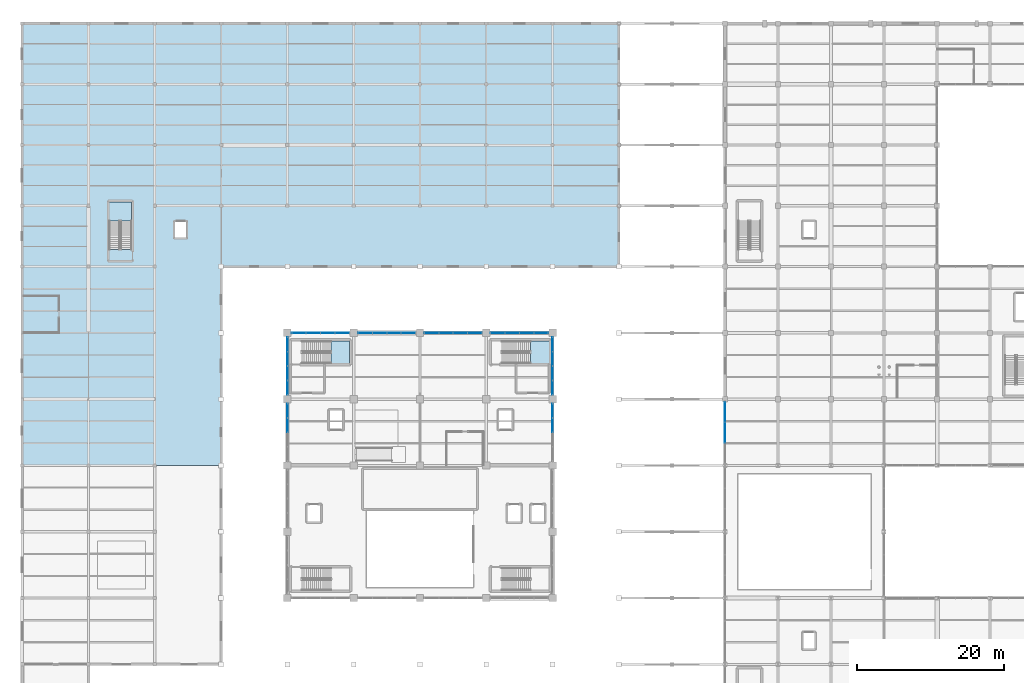
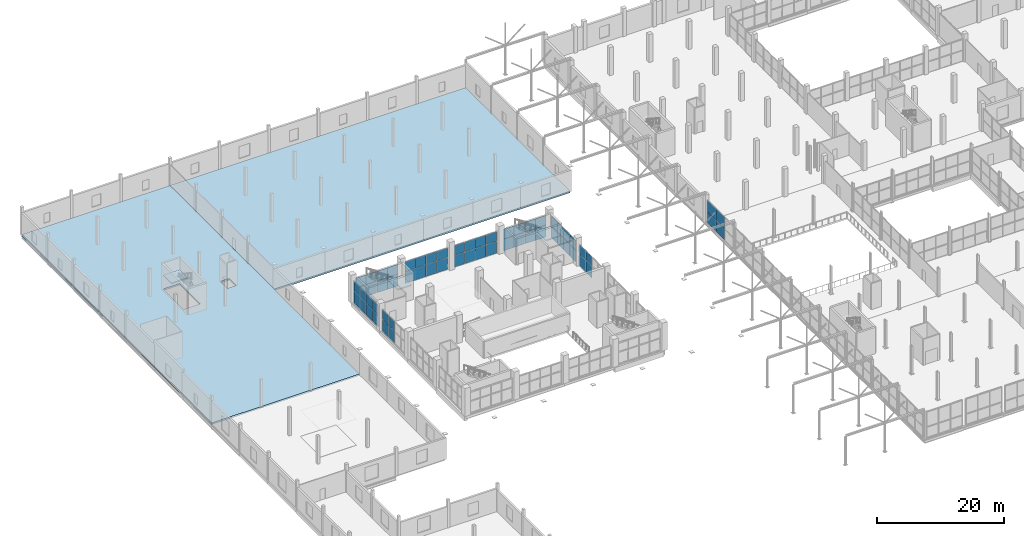
# One storey, part 116 of 147: 60 plates, 5 slabs, 12 elements without a shape of their own.
"""IFC4 building model written with IfcOpenShell, lengths in metres."""

from ifc_helpers import new_model, si_unit, direction, frame, origin, origin_2d, place, context, subcontext, project, spatial, polyline, rectangle, outline, extrude, material, layer, layer_set, type_object, element, aggregate, save


model = new_model("IFC4")

# Units and contexts
model_context = context("Model", 3, precision=1e-05, world=origin(), true_north=direction((0.0, 1.0)))
body_context = subcontext(model_context, "Body", "Model", "MODEL_VIEW")
ifc_project = project(units=[si_unit("LENGTHUNIT", "METRE"), si_unit("AREAUNIT", "SQUARE_METRE"), si_unit("VOLUMEUNIT", "CUBIC_METRE"), si_unit("PLANEANGLEUNIT", "RADIAN"), si_unit("MASSUNIT", "GRAM", prefix="KILO")], contexts=[model_context])

# Site, building, storey
site_placement = place(None, origin())
site = spatial("IfcSite", under=ifc_project, at=site_placement, CompositionType="ELEMENT")
building_placement = place(site_placement, origin())
building = spatial("IfcBuilding", under=site, at=building_placement, Name="Sundgate Opera House", CompositionType="ELEMENT")
storey_placement = place(building_placement, frame((0.0, 0.0, 6.0)))
storey = spatial("IfcBuildingStorey", under=building, at=storey_placement, Name="L01", CompositionType="ELEMENT", Elevation=6.0)

# Curtain wall, plates
ifc_material_1 = material(Name="Anodized aluminium and low-iron glass", Category="aluminium")
ifc_layer_1 = layer(ifc_material_1, 0.179931640625)
ifc_layer_set_1 = layer_set([ifc_layer_1], Name="Anodized aluminium and low-iron glass")
curtain_wall_type_1 = type_object("IfcCurtainWallType", Name="CW-FOYER-GLASS", PredefinedType="NOTDEFINED", material=ifc_layer_set_1)
curtain_wall_1_placement = place(storey_placement, origin())
curtain_wall_1 = element("IfcCurtainWall", 1, at=curtain_wall_1_placement, inside=storey, type_object=curtain_wall_type_1, Name="L01 Curtain Wall CW015", PredefinedType="NOTDEFINED")
ifc_material_2 = material(Name="Low-iron triple acoustic glazing", Category="glass")
ifc_layer_2 = layer(ifc_material_2, 0.035888671875)
ifc_layer_set_2 = layer_set([ifc_layer_2], Name="Low-iron triple acoustic glazing")
plate_type_1 = type_object("IfcPlateType", Name="CWP-CLEAR-36", PredefinedType="CURTAIN_PANEL", material=ifc_layer_set_2)
plate_1_placement = place(storey_placement, frame((37.574951171875, 78.0, 0.02001953125), z_axis=(0.0, 0.0, 1.0), x_axis=(1.0, 0.0, 0.0)))
plate_1 = element("IfcPlate", 2, at=plate_1_placement, type_object=plate_type_1, Name="CW015 Panel 1", PredefinedType="CURTAIN_PANEL", context=body_context, shape_type="SweptSolid", body=[
    extrude(rectangle(XDim=1.909912109375, YDim=0.035888671875, at=origin_2d()), origin(), (0.0, 0.0, 1.0), 2.260009765625),
])
plate_2_placement = place(storey_placement, frame((37.574951171875, 78.0, 2.320068359375), z_axis=(0.0, 0.0, 1.0), x_axis=(1.0, 0.0, 0.0)))
plate_2 = element("IfcPlate", 3, at=plate_2_placement, type_object=plate_type_1, Name="CW015 Panel 2", PredefinedType="CURTAIN_PANEL", context=body_context, shape_type="SweptSolid", body=[
    extrude(rectangle(XDim=1.909912109375, YDim=0.035888671875, at=origin_2d()), origin(), (0.0, 0.0, 1.0), 1.875),
])
plate_3_placement = place(storey_placement, frame((39.52490234375, 78.0, 0.02001953125), z_axis=(0.0, 0.0, 1.0), x_axis=(1.0, 0.0, 0.0)))
plate_3 = element("IfcPlate", 4, at=plate_3_placement, type_object=plate_type_1, Name="CW015 Panel 3", PredefinedType="CURTAIN_PANEL", context=body_context, shape_type="SweptSolid", body=[
    extrude(rectangle(XDim=1.909912109375, YDim=0.035888671875, at=origin_2d()), origin(), (0.0, 0.0, 1.0), 2.260009765625),
])
plate_4_placement = place(storey_placement, frame((39.52490234375, 78.0, 2.320068359375), z_axis=(0.0, 0.0, 1.0), x_axis=(1.0, 0.0, 0.0)))
plate_4 = element("IfcPlate", 5, at=plate_4_placement, type_object=plate_type_1, Name="CW015 Panel 4", PredefinedType="CURTAIN_PANEL", context=body_context, shape_type="SweptSolid", body=[
    extrude(rectangle(XDim=1.909912109375, YDim=0.035888671875, at=origin_2d()), origin(), (0.0, 0.0, 1.0), 1.875),
])
plate_5_placement = place(storey_placement, frame((41.47509765625, 78.0, 0.02001953125), z_axis=(0.0, 0.0, 1.0), x_axis=(1.0, 0.0, 0.0)))
plate_5 = element("IfcPlate", 6, at=plate_5_placement, type_object=plate_type_1, Name="CW015 Panel 5", PredefinedType="CURTAIN_PANEL", context=body_context, shape_type="SweptSolid", body=[
    extrude(rectangle(XDim=1.909912109375, YDim=0.035888671875, at=origin_2d()), origin(), (0.0, 0.0, 1.0), 2.260009765625),
])
plate_6_placement = place(storey_placement, frame((41.47509765625, 78.0, 2.320068359375), z_axis=(0.0, 0.0, 1.0), x_axis=(1.0, 0.0, 0.0)))
plate_6 = element("IfcPlate", 7, at=plate_6_placement, type_object=plate_type_1, Name="CW015 Panel 6", PredefinedType="CURTAIN_PANEL", context=body_context, shape_type="SweptSolid", body=[
    extrude(rectangle(XDim=1.909912109375, YDim=0.035888671875, at=origin_2d()), origin(), (0.0, 0.0, 1.0), 1.875),
])
plate_7_placement = place(storey_placement, frame((43.425048828125, 78.0, 0.02001953125), z_axis=(0.0, 0.0, 1.0), x_axis=(1.0, 0.0, 0.0)))
plate_7 = element("IfcPlate", 8, at=plate_7_placement, type_object=plate_type_1, Name="CW015 Panel 7", PredefinedType="CURTAIN_PANEL", context=body_context, shape_type="SweptSolid", body=[
    extrude(rectangle(XDim=1.909912109375, YDim=0.035888671875, at=origin_2d()), origin(), (0.0, 0.0, 1.0), 2.260009765625),
])
plate_8_placement = place(storey_placement, frame((43.425048828125, 78.0, 2.320068359375), z_axis=(0.0, 0.0, 1.0), x_axis=(1.0, 0.0, 0.0)))
plate_8 = element("IfcPlate", 9, at=plate_8_placement, type_object=plate_type_1, Name="CW015 Panel 8", PredefinedType="CURTAIN_PANEL", context=body_context, shape_type="SweptSolid", body=[
    extrude(rectangle(XDim=1.909912109375, YDim=0.035888671875, at=origin_2d()), origin(), (0.0, 0.0, 1.0), 1.875),
])
aggregate(curtain_wall_1, [plate_1, plate_2, plate_3, plate_4, plate_5, plate_6, plate_7, plate_8])

curtain_wall_2_placement = place(storey_placement, origin())
curtain_wall_2 = element("IfcCurtainWall", 10, at=curtain_wall_2_placement, inside=storey, type_object=curtain_wall_type_1, Name="L01 Curtain Wall CW016", PredefinedType="NOTDEFINED")
plate_9_placement = place(storey_placement, frame((46.574951171875, 78.0, 0.02001953125), z_axis=(0.0, 0.0, 1.0), x_axis=(1.0, 0.0, 0.0)))
plate_9 = element("IfcPlate", 11, at=plate_9_placement, type_object=plate_type_1, Name="CW016 Panel 1", PredefinedType="CURTAIN_PANEL", context=body_context, shape_type="SweptSolid", body=[
    extrude(rectangle(XDim=1.909912109375, YDim=0.035888671875, at=origin_2d()), origin(), (0.0, 0.0, 1.0), 2.260009765625),
])
plate_10_placement = place(storey_placement, frame((46.574951171875, 78.0, 2.320068359375), z_axis=(0.0, 0.0, 1.0), x_axis=(1.0, 0.0, 0.0)))
plate_10 = element("IfcPlate", 12, at=plate_10_placement, type_object=plate_type_1, Name="CW016 Panel 2", PredefinedType="CURTAIN_PANEL", context=body_context, shape_type="SweptSolid", body=[
    extrude(rectangle(XDim=1.909912109375, YDim=0.035888671875, at=origin_2d()), origin(), (0.0, 0.0, 1.0), 1.875),
])
plate_11_placement = place(storey_placement, frame((48.52490234375, 78.0, 0.02001953125), z_axis=(0.0, 0.0, 1.0), x_axis=(1.0, 0.0, 0.0)))
plate_11 = element("IfcPlate", 13, at=plate_11_placement, type_object=plate_type_1, Name="CW016 Panel 3", PredefinedType="CURTAIN_PANEL", context=body_context, shape_type="SweptSolid", body=[
    extrude(rectangle(XDim=1.909912109375, YDim=0.035888671875, at=origin_2d()), origin(), (0.0, 0.0, 1.0), 2.260009765625),
])
plate_12_placement = place(storey_placement, frame((48.52490234375, 78.0, 2.320068359375), z_axis=(0.0, 0.0, 1.0), x_axis=(1.0, 0.0, 0.0)))
plate_12 = element("IfcPlate", 14, at=plate_12_placement, type_object=plate_type_1, Name="CW016 Panel 4", PredefinedType="CURTAIN_PANEL", context=body_context, shape_type="SweptSolid", body=[
    extrude(rectangle(XDim=1.909912109375, YDim=0.035888671875, at=origin_2d()), origin(), (0.0, 0.0, 1.0), 1.875),
])
plate_13_placement = place(storey_placement, frame((50.47509765625, 78.0, 0.02001953125), z_axis=(0.0, 0.0, 1.0), x_axis=(1.0, 0.0, 0.0)))
plate_13 = element("IfcPlate", 15, at=plate_13_placement, type_object=plate_type_1, Name="CW016 Panel 5", PredefinedType="CURTAIN_PANEL", context=body_context, shape_type="SweptSolid", body=[
    extrude(rectangle(XDim=1.909912109375, YDim=0.035888671875, at=origin_2d()), origin(), (0.0, 0.0, 1.0), 2.260009765625),
])
plate_14_placement = place(storey_placement, frame((50.47509765625, 78.0, 2.320068359375), z_axis=(0.0, 0.0, 1.0), x_axis=(1.0, 0.0, 0.0)))
plate_14 = element("IfcPlate", 16, at=plate_14_placement, type_object=plate_type_1, Name="CW016 Panel 6", PredefinedType="CURTAIN_PANEL", context=body_context, shape_type="SweptSolid", body=[
    extrude(rectangle(XDim=1.909912109375, YDim=0.035888671875, at=origin_2d()), origin(), (0.0, 0.0, 1.0), 1.875),
])
plate_15_placement = place(storey_placement, frame((52.425048828125, 78.0, 0.02001953125), z_axis=(0.0, 0.0, 1.0), x_axis=(1.0, 0.0, 0.0)))
plate_15 = element("IfcPlate", 17, at=plate_15_placement, type_object=plate_type_1, Name="CW016 Panel 7", PredefinedType="CURTAIN_PANEL", context=body_context, shape_type="SweptSolid", body=[
    extrude(rectangle(XDim=1.909912109375, YDim=0.035888671875, at=origin_2d()), origin(), (0.0, 0.0, 1.0), 2.260009765625),
])
plate_16_placement = place(storey_placement, frame((52.425048828125, 78.0, 2.320068359375), z_axis=(0.0, 0.0, 1.0), x_axis=(1.0, 0.0, 0.0)))
plate_16 = element("IfcPlate", 18, at=plate_16_placement, type_object=plate_type_1, Name="CW016 Panel 8", PredefinedType="CURTAIN_PANEL", context=body_context, shape_type="SweptSolid", body=[
    extrude(rectangle(XDim=1.909912109375, YDim=0.035888671875, at=origin_2d()), origin(), (0.0, 0.0, 1.0), 1.875),
])
aggregate(curtain_wall_2, [plate_9, plate_10, plate_11, plate_12, plate_13, plate_14, plate_15, plate_16])

curtain_wall_3_placement = place(storey_placement, origin())
curtain_wall_3 = element("IfcCurtainWall", 19, at=curtain_wall_3_placement, inside=storey, type_object=curtain_wall_type_1, Name="L01 Curtain Wall CW017", PredefinedType="NOTDEFINED")
plate_17_placement = place(storey_placement, frame((55.574951171875, 78.0, 0.02001953125), z_axis=(0.0, 0.0, 1.0), x_axis=(1.0, 0.0, 0.0)))
plate_17 = element("IfcPlate", 20, at=plate_17_placement, type_object=plate_type_1, Name="CW017 Panel 1", PredefinedType="CURTAIN_PANEL", context=body_context, shape_type="SweptSolid", body=[
    extrude(rectangle(XDim=1.909912109375, YDim=0.035888671875, at=origin_2d()), origin(), (0.0, 0.0, 1.0), 2.260009765625),
])
plate_18_placement = place(storey_placement, frame((55.574951171875, 78.0, 2.320068359375), z_axis=(0.0, 0.0, 1.0), x_axis=(1.0, 0.0, 0.0)))
plate_18 = element("IfcPlate", 21, at=plate_18_placement, type_object=plate_type_1, Name="CW017 Panel 2", PredefinedType="CURTAIN_PANEL", context=body_context, shape_type="SweptSolid", body=[
    extrude(rectangle(XDim=1.909912109375, YDim=0.035888671875, at=origin_2d()), origin(), (0.0, 0.0, 1.0), 1.875),
])
plate_19_placement = place(storey_placement, frame((57.52490234375, 78.0, 0.02001953125), z_axis=(0.0, 0.0, 1.0), x_axis=(1.0, 0.0, 0.0)))
plate_19 = element("IfcPlate", 22, at=plate_19_placement, type_object=plate_type_1, Name="CW017 Panel 3", PredefinedType="CURTAIN_PANEL", context=body_context, shape_type="SweptSolid", body=[
    extrude(rectangle(XDim=1.909912109375, YDim=0.035888671875, at=origin_2d()), origin(), (0.0, 0.0, 1.0), 2.260009765625),
])
plate_20_placement = place(storey_placement, frame((57.52490234375, 78.0, 2.320068359375), z_axis=(0.0, 0.0, 1.0), x_axis=(1.0, 0.0, 0.0)))
plate_20 = element("IfcPlate", 23, at=plate_20_placement, type_object=plate_type_1, Name="CW017 Panel 4", PredefinedType="CURTAIN_PANEL", context=body_context, shape_type="SweptSolid", body=[
    extrude(rectangle(XDim=1.909912109375, YDim=0.035888671875, at=origin_2d()), origin(), (0.0, 0.0, 1.0), 1.875),
])
plate_21_placement = place(storey_placement, frame((59.47509765625, 78.0, 0.02001953125), z_axis=(0.0, 0.0, 1.0), x_axis=(1.0, 0.0, 0.0)))
plate_21 = element("IfcPlate", 24, at=plate_21_placement, type_object=plate_type_1, Name="CW017 Panel 5", PredefinedType="CURTAIN_PANEL", context=body_context, shape_type="SweptSolid", body=[
    extrude(rectangle(XDim=1.909912109375, YDim=0.035888671875, at=origin_2d()), origin(), (0.0, 0.0, 1.0), 2.260009765625),
])
plate_22_placement = place(storey_placement, frame((59.47509765625, 78.0, 2.320068359375), z_axis=(0.0, 0.0, 1.0), x_axis=(1.0, 0.0, 0.0)))
plate_22 = element("IfcPlate", 25, at=plate_22_placement, type_object=plate_type_1, Name="CW017 Panel 6", PredefinedType="CURTAIN_PANEL", context=body_context, shape_type="SweptSolid", body=[
    extrude(rectangle(XDim=1.909912109375, YDim=0.035888671875, at=origin_2d()), origin(), (0.0, 0.0, 1.0), 1.875),
])
plate_23_placement = place(storey_placement, frame((61.425048828125, 78.0, 0.02001953125), z_axis=(0.0, 0.0, 1.0), x_axis=(1.0, 0.0, 0.0)))
plate_23 = element("IfcPlate", 26, at=plate_23_placement, type_object=plate_type_1, Name="CW017 Panel 7", PredefinedType="CURTAIN_PANEL", context=body_context, shape_type="SweptSolid", body=[
    extrude(rectangle(XDim=1.909912109375, YDim=0.035888671875, at=origin_2d()), origin(), (0.0, 0.0, 1.0), 2.260009765625),
])
plate_24_placement = place(storey_placement, frame((61.425048828125, 78.0, 2.320068359375), z_axis=(0.0, 0.0, 1.0), x_axis=(1.0, 0.0, 0.0)))
plate_24 = element("IfcPlate", 27, at=plate_24_placement, type_object=plate_type_1, Name="CW017 Panel 8", PredefinedType="CURTAIN_PANEL", context=body_context, shape_type="SweptSolid", body=[
    extrude(rectangle(XDim=1.909912109375, YDim=0.035888671875, at=origin_2d()), origin(), (0.0, 0.0, 1.0), 1.875),
])
aggregate(curtain_wall_3, [plate_17, plate_18, plate_19, plate_20, plate_21, plate_22, plate_23, plate_24])

curtain_wall_4_placement = place(storey_placement, origin())
curtain_wall_4 = element("IfcCurtainWall", 28, at=curtain_wall_4_placement, inside=storey, type_object=curtain_wall_type_1, Name="L01 Curtain Wall CW018", PredefinedType="NOTDEFINED")
plate_25_placement = place(storey_placement, frame((64.574951171875, 78.0, 0.02001953125), z_axis=(0.0, 0.0, 1.0), x_axis=(1.0, 0.0, 0.0)))
plate_25 = element("IfcPlate", 29, at=plate_25_placement, type_object=plate_type_1, Name="CW018 Panel 1", PredefinedType="CURTAIN_PANEL", context=body_context, shape_type="SweptSolid", body=[
    extrude(rectangle(XDim=1.909912109375, YDim=0.035888671875, at=origin_2d()), origin(), (0.0, 0.0, 1.0), 2.260009765625),
])
plate_26_placement = place(storey_placement, frame((64.574951171875, 78.0, 2.320068359375), z_axis=(0.0, 0.0, 1.0), x_axis=(1.0, 0.0, 0.0)))
plate_26 = element("IfcPlate", 30, at=plate_26_placement, type_object=plate_type_1, Name="CW018 Panel 2", PredefinedType="CURTAIN_PANEL", context=body_context, shape_type="SweptSolid", body=[
    extrude(rectangle(XDim=1.909912109375, YDim=0.035888671875, at=origin_2d()), origin(), (0.0, 0.0, 1.0), 1.875),
])
plate_27_placement = place(storey_placement, frame((66.52490234375, 78.0, 0.02001953125), z_axis=(0.0, 0.0, 1.0), x_axis=(1.0, 0.0, 0.0)))
plate_27 = element("IfcPlate", 31, at=plate_27_placement, type_object=plate_type_1, Name="CW018 Panel 3", PredefinedType="CURTAIN_PANEL", context=body_context, shape_type="SweptSolid", body=[
    extrude(rectangle(XDim=1.909912109375, YDim=0.035888671875, at=origin_2d()), origin(), (0.0, 0.0, 1.0), 2.260009765625),
])
plate_28_placement = place(storey_placement, frame((66.52490234375, 78.0, 2.320068359375), z_axis=(0.0, 0.0, 1.0), x_axis=(1.0, 0.0, 0.0)))
plate_28 = element("IfcPlate", 32, at=plate_28_placement, type_object=plate_type_1, Name="CW018 Panel 4", PredefinedType="CURTAIN_PANEL", context=body_context, shape_type="SweptSolid", body=[
    extrude(rectangle(XDim=1.909912109375, YDim=0.035888671875, at=origin_2d()), origin(), (0.0, 0.0, 1.0), 1.875),
])
plate_29_placement = place(storey_placement, frame((68.47509765625, 78.0, 0.02001953125), z_axis=(0.0, 0.0, 1.0), x_axis=(1.0, 0.0, 0.0)))
plate_29 = element("IfcPlate", 33, at=plate_29_placement, type_object=plate_type_1, Name="CW018 Panel 5", PredefinedType="CURTAIN_PANEL", context=body_context, shape_type="SweptSolid", body=[
    extrude(rectangle(XDim=1.909912109375, YDim=0.035888671875, at=origin_2d()), origin(), (0.0, 0.0, 1.0), 2.260009765625),
])
plate_30_placement = place(storey_placement, frame((68.47509765625, 78.0, 2.320068359375), z_axis=(0.0, 0.0, 1.0), x_axis=(1.0, 0.0, 0.0)))
plate_30 = element("IfcPlate", 34, at=plate_30_placement, type_object=plate_type_1, Name="CW018 Panel 6", PredefinedType="CURTAIN_PANEL", context=body_context, shape_type="SweptSolid", body=[
    extrude(rectangle(XDim=1.909912109375, YDim=0.035888671875, at=origin_2d()), origin(), (0.0, 0.0, 1.0), 1.875),
])
plate_31_placement = place(storey_placement, frame((70.425048828125, 78.0, 0.02001953125), z_axis=(0.0, 0.0, 1.0), x_axis=(1.0, 0.0, 0.0)))
plate_31 = element("IfcPlate", 35, at=plate_31_placement, type_object=plate_type_1, Name="CW018 Panel 7", PredefinedType="CURTAIN_PANEL", context=body_context, shape_type="SweptSolid", body=[
    extrude(rectangle(XDim=1.909912109375, YDim=0.035888671875, at=origin_2d()), origin(), (0.0, 0.0, 1.0), 2.260009765625),
])
plate_32_placement = place(storey_placement, frame((70.425048828125, 78.0, 2.320068359375), z_axis=(0.0, 0.0, 1.0), x_axis=(1.0, 0.0, 0.0)))
plate_32 = element("IfcPlate", 36, at=plate_32_placement, type_object=plate_type_1, Name="CW018 Panel 8", PredefinedType="CURTAIN_PANEL", context=body_context, shape_type="SweptSolid", body=[
    extrude(rectangle(XDim=1.909912109375, YDim=0.035888671875, at=origin_2d()), origin(), (0.0, 0.0, 1.0), 1.875),
])
aggregate(curtain_wall_4, [plate_25, plate_26, plate_27, plate_28, plate_29, plate_30, plate_31, plate_32])

curtain_wall_5_placement = place(storey_placement, origin())
curtain_wall_5 = element("IfcCurtainWall", 37, at=curtain_wall_5_placement, inside=storey, type_object=curtain_wall_type_1, Name="L01 Curtain Wall CW021", PredefinedType="NOTDEFINED")
plate_33_placement = place(storey_placement, frame((36.0, 67.425048828125, 0.02001953125), z_axis=(0.0, 0.0, 1.0), x_axis=(0.0, -1.0, 0.0)))
plate_33 = element("IfcPlate", 38, at=plate_33_placement, type_object=plate_type_1, Name="CW021 Panel 1", PredefinedType="CURTAIN_PANEL", context=body_context, shape_type="SweptSolid", body=[
    extrude(rectangle(XDim=1.909912109375, YDim=0.035888671875, at=origin_2d()), origin(), (0.0, 0.0, 1.0), 2.260009765625),
])
plate_34_placement = place(storey_placement, frame((36.0, 67.425048828125, 2.320068359375), z_axis=(0.0, 0.0, 1.0), x_axis=(0.0, -1.0, 0.0)))
plate_34 = element("IfcPlate", 39, at=plate_34_placement, type_object=plate_type_1, Name="CW021 Panel 2", PredefinedType="CURTAIN_PANEL", context=body_context, shape_type="SweptSolid", body=[
    extrude(rectangle(XDim=1.909912109375, YDim=0.035888671875, at=origin_2d()), origin(), (0.0, 0.0, 1.0), 1.875),
])
plate_35_placement = place(storey_placement, frame((36.0, 65.47509765625, 0.02001953125), z_axis=(0.0, 0.0, 1.0), x_axis=(0.0, -1.0, 0.0)))
plate_35 = element("IfcPlate", 40, at=plate_35_placement, type_object=plate_type_1, Name="CW021 Panel 3", PredefinedType="CURTAIN_PANEL", context=body_context, shape_type="SweptSolid", body=[
    extrude(rectangle(XDim=1.909912109375, YDim=0.035888671875, at=origin_2d()), origin(), (0.0, 0.0, 1.0), 2.260009765625),
])
plate_36_placement = place(storey_placement, frame((36.0, 65.47509765625, 2.320068359375), z_axis=(0.0, 0.0, 1.0), x_axis=(0.0, -1.0, 0.0)))
plate_36 = element("IfcPlate", 41, at=plate_36_placement, type_object=plate_type_1, Name="CW021 Panel 4", PredefinedType="CURTAIN_PANEL", context=body_context, shape_type="SweptSolid", body=[
    extrude(rectangle(XDim=1.909912109375, YDim=0.035888671875, at=origin_2d()), origin(), (0.0, 0.0, 1.0), 1.875),
])
aggregate(curtain_wall_5, [plate_33, plate_34, plate_35, plate_36])

curtain_wall_6_placement = place(storey_placement, origin())
curtain_wall_6 = element("IfcCurtainWall", 42, at=curtain_wall_6_placement, inside=storey, type_object=curtain_wall_type_1, Name="L01 Curtain Wall CW022", PredefinedType="NOTDEFINED")
plate_37_placement = place(storey_placement, frame((36.0, 76.425048828125, 0.02001953125), z_axis=(0.0, 0.0, 1.0), x_axis=(0.0, -1.0, 0.0)))
plate_37 = element("IfcPlate", 43, at=plate_37_placement, type_object=plate_type_1, Name="CW022 Panel 1", PredefinedType="CURTAIN_PANEL", context=body_context, shape_type="SweptSolid", body=[
    extrude(rectangle(XDim=1.909912109375, YDim=0.035888671875, at=origin_2d()), origin(), (0.0, 0.0, 1.0), 2.260009765625),
])
plate_38_placement = place(storey_placement, frame((36.0, 76.425048828125, 2.320068359375), z_axis=(0.0, 0.0, 1.0), x_axis=(0.0, -1.0, 0.0)))
plate_38 = element("IfcPlate", 44, at=plate_38_placement, type_object=plate_type_1, Name="CW022 Panel 2", PredefinedType="CURTAIN_PANEL", context=body_context, shape_type="SweptSolid", body=[
    extrude(rectangle(XDim=1.909912109375, YDim=0.035888671875, at=origin_2d()), origin(), (0.0, 0.0, 1.0), 1.875),
])
plate_39_placement = place(storey_placement, frame((36.0, 74.47509765625, 0.02001953125), z_axis=(0.0, 0.0, 1.0), x_axis=(0.0, -1.0, 0.0)))
plate_39 = element("IfcPlate", 45, at=plate_39_placement, type_object=plate_type_1, Name="CW022 Panel 3", PredefinedType="CURTAIN_PANEL", context=body_context, shape_type="SweptSolid", body=[
    extrude(rectangle(XDim=1.909912109375, YDim=0.035888671875, at=origin_2d()), origin(), (0.0, 0.0, 1.0), 2.260009765625),
])
plate_40_placement = place(storey_placement, frame((36.0, 74.47509765625, 2.320068359375), z_axis=(0.0, 0.0, 1.0), x_axis=(0.0, -1.0, 0.0)))
plate_40 = element("IfcPlate", 46, at=plate_40_placement, type_object=plate_type_1, Name="CW022 Panel 4", PredefinedType="CURTAIN_PANEL", context=body_context, shape_type="SweptSolid", body=[
    extrude(rectangle(XDim=1.909912109375, YDim=0.035888671875, at=origin_2d()), origin(), (0.0, 0.0, 1.0), 1.875),
])
plate_41_placement = place(storey_placement, frame((36.0, 72.52490234375, 0.02001953125), z_axis=(0.0, 0.0, 1.0), x_axis=(0.0, -1.0, 0.0)))
plate_41 = element("IfcPlate", 47, at=plate_41_placement, type_object=plate_type_1, Name="CW022 Panel 5", PredefinedType="CURTAIN_PANEL", context=body_context, shape_type="SweptSolid", body=[
    extrude(rectangle(XDim=1.909912109375, YDim=0.035888671875, at=origin_2d()), origin(), (0.0, 0.0, 1.0), 2.260009765625),
])
plate_42_placement = place(storey_placement, frame((36.0, 72.52490234375, 2.320068359375), z_axis=(0.0, 0.0, 1.0), x_axis=(0.0, -1.0, 0.0)))
plate_42 = element("IfcPlate", 48, at=plate_42_placement, type_object=plate_type_1, Name="CW022 Panel 6", PredefinedType="CURTAIN_PANEL", context=body_context, shape_type="SweptSolid", body=[
    extrude(rectangle(XDim=1.909912109375, YDim=0.035888671875, at=origin_2d()), origin(), (0.0, 0.0, 1.0), 1.875),
])
plate_43_placement = place(storey_placement, frame((36.0, 70.574951171875, 0.02001953125), z_axis=(0.0, 0.0, 1.0), x_axis=(0.0, -1.0, 0.0)))
plate_43 = element("IfcPlate", 49, at=plate_43_placement, type_object=plate_type_1, Name="CW022 Panel 7", PredefinedType="CURTAIN_PANEL", context=body_context, shape_type="SweptSolid", body=[
    extrude(rectangle(XDim=1.909912109375, YDim=0.035888671875, at=origin_2d()), origin(), (0.0, 0.0, 1.0), 2.260009765625),
])
plate_44_placement = place(storey_placement, frame((36.0, 70.574951171875, 2.320068359375), z_axis=(0.0, 0.0, 1.0), x_axis=(0.0, -1.0, 0.0)))
plate_44 = element("IfcPlate", 50, at=plate_44_placement, type_object=plate_type_1, Name="CW022 Panel 8", PredefinedType="CURTAIN_PANEL", context=body_context, shape_type="SweptSolid", body=[
    extrude(rectangle(XDim=1.909912109375, YDim=0.035888671875, at=origin_2d()), origin(), (0.0, 0.0, 1.0), 1.875),
])
aggregate(curtain_wall_6, [plate_37, plate_38, plate_39, plate_40, plate_41, plate_42, plate_43, plate_44])

curtain_wall_7_placement = place(storey_placement, origin())
curtain_wall_7 = element("IfcCurtainWall", 51, at=curtain_wall_7_placement, inside=storey, type_object=curtain_wall_type_1, Name="L01 Curtain Wall CW025", PredefinedType="NOTDEFINED")
plate_45_placement = place(storey_placement, frame((72.0, 65.47509765625, 0.02001953125), z_axis=(0.0, 0.0, 1.0), x_axis=(0.0, 1.0, 0.0)))
plate_45 = element("IfcPlate", 52, at=plate_45_placement, type_object=plate_type_1, Name="CW025 Panel 5", PredefinedType="CURTAIN_PANEL", context=body_context, shape_type="SweptSolid", body=[
    extrude(rectangle(XDim=1.909912109375, YDim=0.035888671875, at=origin_2d()), origin(), (0.0, 0.0, 1.0), 2.260009765625),
])
plate_46_placement = place(storey_placement, frame((72.0, 65.47509765625, 2.320068359375), z_axis=(0.0, 0.0, 1.0), x_axis=(0.0, 1.0, 0.0)))
plate_46 = element("IfcPlate", 53, at=plate_46_placement, type_object=plate_type_1, Name="CW025 Panel 6", PredefinedType="CURTAIN_PANEL", context=body_context, shape_type="SweptSolid", body=[
    extrude(rectangle(XDim=1.909912109375, YDim=0.035888671875, at=origin_2d()), origin(), (0.0, 0.0, 1.0), 1.7548828125),
])
plate_47_placement = place(storey_placement, frame((72.0, 67.425048828125, 0.02001953125), z_axis=(0.0, 0.0, 1.0), x_axis=(0.0, 1.0, 0.0)))
plate_47 = element("IfcPlate", 54, at=plate_47_placement, type_object=plate_type_1, Name="CW025 Panel 7", PredefinedType="CURTAIN_PANEL", context=body_context, shape_type="SweptSolid", body=[
    extrude(rectangle(XDim=1.909912109375, YDim=0.035888671875, at=origin_2d()), origin(), (0.0, 0.0, 1.0), 2.260009765625),
])
plate_48_placement = place(storey_placement, frame((72.0, 67.425048828125, 2.320068359375), z_axis=(0.0, 0.0, 1.0), x_axis=(0.0, 1.0, 0.0)))
plate_48 = element("IfcPlate", 55, at=plate_48_placement, type_object=plate_type_1, Name="CW025 Panel 8", PredefinedType="CURTAIN_PANEL", context=body_context, shape_type="SweptSolid", body=[
    extrude(rectangle(XDim=1.909912109375, YDim=0.035888671875, at=origin_2d()), origin(), (0.0, 0.0, 1.0), 1.7548828125),
])
aggregate(curtain_wall_7, [plate_45, plate_46, plate_47, plate_48])

curtain_wall_8_placement = place(storey_placement, origin())
curtain_wall_8 = element("IfcCurtainWall", 56, at=curtain_wall_8_placement, inside=storey, type_object=curtain_wall_type_1, Name="L01 Curtain Wall CW026", PredefinedType="NOTDEFINED")
plate_49_placement = place(storey_placement, frame((72.0, 70.574951171875, 0.02001953125), z_axis=(0.0, 0.0, 1.0), x_axis=(0.0, 1.0, 0.0)))
plate_49 = element("IfcPlate", 57, at=plate_49_placement, type_object=plate_type_1, Name="CW026 Panel 1", PredefinedType="CURTAIN_PANEL", context=body_context, shape_type="SweptSolid", body=[
    extrude(rectangle(XDim=1.909912109375, YDim=0.035888671875, at=origin_2d()), origin(), (0.0, 0.0, 1.0), 2.260009765625),
])
plate_50_placement = place(storey_placement, frame((72.0, 70.574951171875, 2.320068359375), z_axis=(0.0, 0.0, 1.0), x_axis=(0.0, 1.0, 0.0)))
plate_50 = element("IfcPlate", 58, at=plate_50_placement, type_object=plate_type_1, Name="CW026 Panel 2", PredefinedType="CURTAIN_PANEL", context=body_context, shape_type="SweptSolid", body=[
    extrude(rectangle(XDim=1.909912109375, YDim=0.035888671875, at=origin_2d()), origin(), (0.0, 0.0, 1.0), 1.875),
])
plate_51_placement = place(storey_placement, frame((72.0, 72.52490234375, 0.02001953125), z_axis=(0.0, 0.0, 1.0), x_axis=(0.0, 1.0, 0.0)))
plate_51 = element("IfcPlate", 59, at=plate_51_placement, type_object=plate_type_1, Name="CW026 Panel 3", PredefinedType="CURTAIN_PANEL", context=body_context, shape_type="SweptSolid", body=[
    extrude(rectangle(XDim=1.909912109375, YDim=0.035888671875, at=origin_2d()), origin(), (0.0, 0.0, 1.0), 2.260009765625),
])
plate_52_placement = place(storey_placement, frame((72.0, 72.52490234375, 2.320068359375), z_axis=(0.0, 0.0, 1.0), x_axis=(0.0, 1.0, 0.0)))
plate_52 = element("IfcPlate", 60, at=plate_52_placement, type_object=plate_type_1, Name="CW026 Panel 4", PredefinedType="CURTAIN_PANEL", context=body_context, shape_type="SweptSolid", body=[
    extrude(rectangle(XDim=1.909912109375, YDim=0.035888671875, at=origin_2d()), origin(), (0.0, 0.0, 1.0), 1.875),
])
plate_53_placement = place(storey_placement, frame((72.0, 74.47509765625, 0.02001953125), z_axis=(0.0, 0.0, 1.0), x_axis=(0.0, 1.0, 0.0)))
plate_53 = element("IfcPlate", 61, at=plate_53_placement, type_object=plate_type_1, Name="CW026 Panel 5", PredefinedType="CURTAIN_PANEL", context=body_context, shape_type="SweptSolid", body=[
    extrude(rectangle(XDim=1.909912109375, YDim=0.035888671875, at=origin_2d()), origin(), (0.0, 0.0, 1.0), 2.260009765625),
])
plate_54_placement = place(storey_placement, frame((72.0, 74.47509765625, 2.320068359375), z_axis=(0.0, 0.0, 1.0), x_axis=(0.0, 1.0, 0.0)))
plate_54 = element("IfcPlate", 62, at=plate_54_placement, type_object=plate_type_1, Name="CW026 Panel 6", PredefinedType="CURTAIN_PANEL", context=body_context, shape_type="SweptSolid", body=[
    extrude(rectangle(XDim=1.909912109375, YDim=0.035888671875, at=origin_2d()), origin(), (0.0, 0.0, 1.0), 1.875),
])
plate_55_placement = place(storey_placement, frame((72.0, 76.425048828125, 0.02001953125), z_axis=(0.0, 0.0, 1.0), x_axis=(0.0, 1.0, 0.0)))
plate_55 = element("IfcPlate", 63, at=plate_55_placement, type_object=plate_type_1, Name="CW026 Panel 7", PredefinedType="CURTAIN_PANEL", context=body_context, shape_type="SweptSolid", body=[
    extrude(rectangle(XDim=1.909912109375, YDim=0.035888671875, at=origin_2d()), origin(), (0.0, 0.0, 1.0), 2.260009765625),
])
plate_56_placement = place(storey_placement, frame((72.0, 76.425048828125, 2.320068359375), z_axis=(0.0, 0.0, 1.0), x_axis=(0.0, 1.0, 0.0)))
plate_56 = element("IfcPlate", 64, at=plate_56_placement, type_object=plate_type_1, Name="CW026 Panel 8", PredefinedType="CURTAIN_PANEL", context=body_context, shape_type="SweptSolid", body=[
    extrude(rectangle(XDim=1.909912109375, YDim=0.035888671875, at=origin_2d()), origin(), (0.0, 0.0, 1.0), 1.875),
])
aggregate(curtain_wall_8, [plate_49, plate_50, plate_51, plate_52, plate_53, plate_54, plate_55, plate_56])

ifc_material_3 = material(Name="Anodized aluminium and low-iron glass", Category="aluminium")
ifc_layer_3 = layer(ifc_material_3, 0.159912109375)
ifc_layer_set_3 = layer_set([ifc_layer_3], Name="Anodized aluminium and low-iron glass")
curtain_wall_type_2 = type_object("IfcCurtainWallType", Name="CW-STUDIO-DARK", PredefinedType="NOTDEFINED", material=ifc_layer_set_3)
curtain_wall_9_placement = place(storey_placement, origin())
curtain_wall_9 = element("IfcCurtainWall", 65, at=curtain_wall_9_placement, inside=storey, type_object=curtain_wall_type_2, Name="L01 Curtain Wall CW050", PredefinedType="NOTDEFINED")
ifc_material_4 = material(Name="Dark solar-control triple acoustic glazing", Category="glass")
ifc_layer_4 = layer(ifc_material_4, 0.031982421875)
ifc_layer_set_4 = layer_set([ifc_layer_4], Name="Dark solar-control triple acoustic glazing")
plate_type_2 = type_object("IfcPlateType", Name="CWP-DARK-32", PredefinedType="CURTAIN_PANEL", material=ifc_layer_set_4)
plate_57_placement = place(storey_placement, frame((95.39990234375, 67.24169921875, 0.02001953125), z_axis=(0.0, 0.0, 1.0), x_axis=(0.0, -1.0, 0.0)))
plate_57 = element("IfcPlate", 66, at=plate_57_placement, type_object=plate_type_2, Name="CW050 Panel 1", PredefinedType="CURTAIN_PANEL", context=body_context, shape_type="SweptSolid", body=[
    extrude(rectangle(XDim=2.7265625, YDim=0.031982421875, at=origin_2d()), origin(), (0.0, 0.0, 1.0), 2.110107421875),
])
plate_58_placement = place(storey_placement, frame((95.39990234375, 67.24169921875, 2.169921875), z_axis=(0.0, 0.0, 1.0), x_axis=(0.0, -1.0, 0.0)))
plate_58 = element("IfcPlate", 67, at=plate_58_placement, type_object=plate_type_2, Name="CW050 Panel 2", PredefinedType="CURTAIN_PANEL", context=body_context, shape_type="SweptSolid", body=[
    extrude(rectangle(XDim=2.7265625, YDim=0.031982421875, at=origin_2d()), origin(), (0.0, 0.0, 1.0), 2.22509765625),
])
plate_59_placement = place(storey_placement, frame((95.39990234375, 64.47509765625, 0.02001953125), z_axis=(0.0, 0.0, 1.0), x_axis=(0.0, -1.0, 0.0)))
plate_59 = element("IfcPlate", 68, at=plate_59_placement, type_object=plate_type_2, Name="CW050 Panel 3", PredefinedType="CURTAIN_PANEL", context=body_context, shape_type="SweptSolid", body=[
    extrude(rectangle(XDim=2.7265625, YDim=0.031982421875, at=origin_2d()), origin(), (0.0, 0.0, 1.0), 2.110107421875),
])
plate_60_placement = place(storey_placement, frame((95.39990234375, 64.47509765625, 2.169921875), z_axis=(0.0, 0.0, 1.0), x_axis=(0.0, -1.0, 0.0)))
plate_60 = element("IfcPlate", 69, at=plate_60_placement, type_object=plate_type_2, Name="CW050 Panel 4", PredefinedType="CURTAIN_PANEL", context=body_context, shape_type="SweptSolid", body=[
    extrude(rectangle(XDim=2.7265625, YDim=0.031982421875, at=origin_2d()), origin(), (0.0, 0.0, 1.0), 2.22509765625),
])
aggregate(curtain_wall_9, [plate_57, plate_58, plate_59, plate_60])

# Slabs
ifc_material_5 = material(Name="Concrete C40/50", Category="concrete")
ifc_layer_5 = layer(ifc_material_5, 0.300048828125)
ifc_layer_set_5 = layer_set([ifc_layer_5], Name="Concrete C40/50")
slab_type_1 = type_object("IfcSlabType", Name="SL-FLR-300", PredefinedType="FLOOR", material=ifc_layer_set_5)
slab_1_placement = place(storey_placement, frame((0.0, 0.0, -0.300048828125)))
element("IfcSlab", 70, at=slab_1_placement, inside=storey, type_object=slab_type_1, Name="L01 Structural Floor Slab V6", PredefinedType="FLOOR", context=body_context, shape_type="SweptSolid", body=[
    extrude(outline(polyline([(0.0, 60.0), (27.0, 60.0), (27.0, 120.0), (0.0, 120.0), (0.0, 60.0)]), holes=[polyline([(11.800048828125, 95.800048828125), (14.85009765625, 95.800048828125), (14.85009765625, 89.35009765625), (11.800048828125, 89.35009765625), (11.800048828125, 95.800048828125)]), polyline([(20.719970703125, 93.080078125), (22.280029296875, 93.080078125), (22.280029296875, 90.919921875), (20.719970703125, 90.919921875), (20.719970703125, 93.080078125)])]), origin(), (0.0, 0.0, 1.0), 0.300048828125),
])
slab_2_placement = place(storey_placement, frame((0.0, 0.0, -0.300048828125)))
element("IfcSlab", 71, at=slab_2_placement, inside=storey, type_object=slab_type_1, Name="L01 Structural Floor Slab V6", PredefinedType="FLOOR", context=body_context, shape_type="SweptSolid", body=[
    extrude(outline(polyline([(27.0, 87.0), (81.0, 87.0), (81.0, 120.0), (27.0, 120.0), (27.0, 87.0)])), origin(), (0.0, 0.0, 1.0), 0.300048828125),
])

# Stair, slab
ifc_material_6 = material(Name="Concrete C35/45", Category="concrete")
stair_type = type_object("IfcStairType", Name="ST-HT-30R-1450", PredefinedType="HALF_TURN_STAIR", material=ifc_material_6)
stair_1_placement = place(storey_placement, origin())
stair_1 = element("IfcStair", 72, at=stair_1_placement, inside=storey, type_object=stair_type, Name="L01 Escape Stair ST-02", PredefinedType="HALF_TURN_STAIR")
ifc_material_7 = material(Name="Concrete C35/45", Category="concrete")
ifc_layer_6 = layer(ifc_material_7, 0.199951171875)
ifc_layer_set_6 = layer_set([ifc_layer_6], Name="Concrete C35/45")
slab_type_2 = type_object("IfcSlabType", Name="SL-LAND-200", PredefinedType="LANDING", material=ifc_layer_set_6)
slab_3_placement = place(storey_placement, frame((0.0, 0.0, 2.5)))
slab_3 = element("IfcSlab", 73, at=slab_3_placement, type_object=slab_type_2, Name="ST02L01 Landing 1", PredefinedType="LANDING", context=body_context, shape_type="SweptSolid", body=[
    extrude(outline(polyline([(41.919921875, 73.85009765625), (44.449951171875, 73.85009765625), (44.449951171875, 76.89990234375), (41.919921875, 76.89990234375), (41.919921875, 73.85009765625)])), origin(), (0.0, 0.0, 1.0), 0.199951171875),
])
aggregate(stair_1, [slab_3])

stair_2_placement = place(storey_placement, origin())
stair_2 = element("IfcStair", 74, at=stair_2_placement, inside=storey, type_object=stair_type, Name="L01 Escape Stair ST-04", PredefinedType="HALF_TURN_STAIR")
slab_4_placement = place(storey_placement, frame((0.0, 0.0, 2.5)))
slab_4 = element("IfcSlab", 75, at=slab_4_placement, type_object=slab_type_2, Name="ST04L01 Landing 1", PredefinedType="LANDING", context=body_context, shape_type="SweptSolid", body=[
    extrude(outline(polyline([(69.02001953125, 73.85009765625), (71.550048828125, 73.85009765625), (71.550048828125, 76.89990234375), (69.02001953125, 76.89990234375), (69.02001953125, 73.85009765625)])), origin(), (0.0, 0.0, 1.0), 0.199951171875),
])
aggregate(stair_2, [slab_4])

stair_3_placement = place(storey_placement, origin())
stair_3 = element("IfcStair", 76, at=stair_3_placement, inside=storey, type_object=stair_type, Name="L01 Escape Stair ST-08", PredefinedType="HALF_TURN_STAIR")
slab_5_placement = place(storey_placement, frame((0.0, 0.0, 2.5)))
slab_5 = element("IfcSlab", 77, at=slab_5_placement, type_object=slab_type_2, Name="ST08L01 Landing 1", PredefinedType="LANDING", context=body_context, shape_type="SweptSolid", body=[
    extrude(outline(polyline([(14.85009765625, 93.219970703125), (14.85009765625, 95.800048828125), (11.800048828125, 95.800048828125), (11.800048828125, 93.219970703125), (14.85009765625, 93.219970703125)])), origin(), (0.0, 0.0, 1.0), 0.199951171875),
])
aggregate(stair_3, [slab_5])

save(model, "model.ifc")
